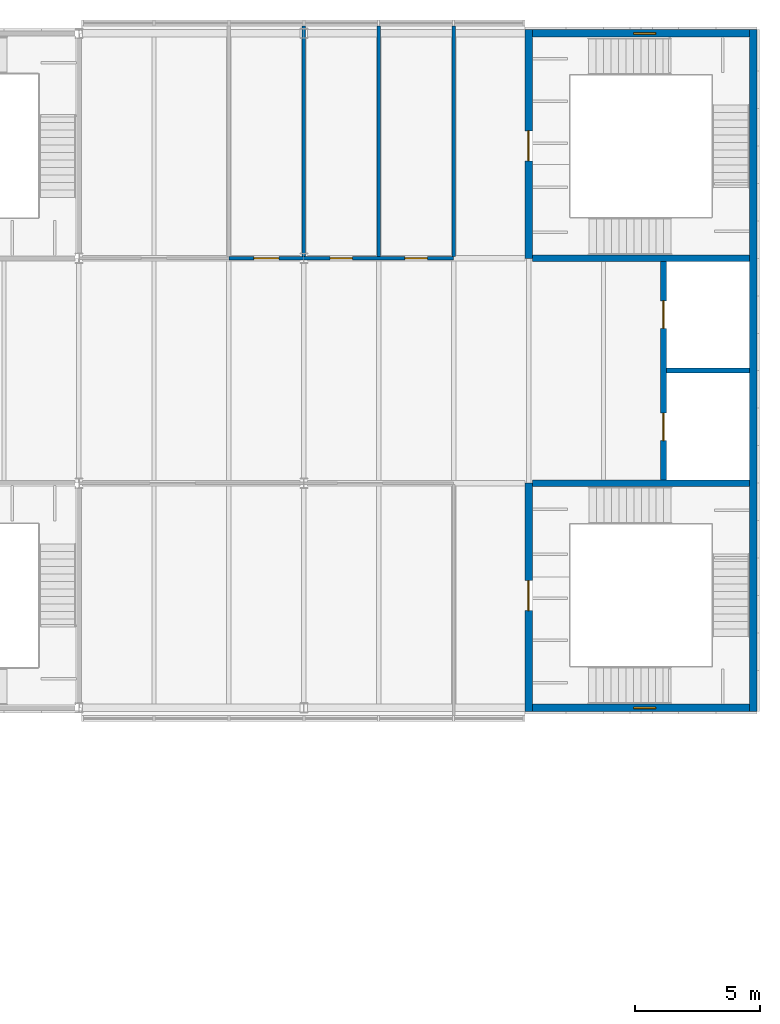
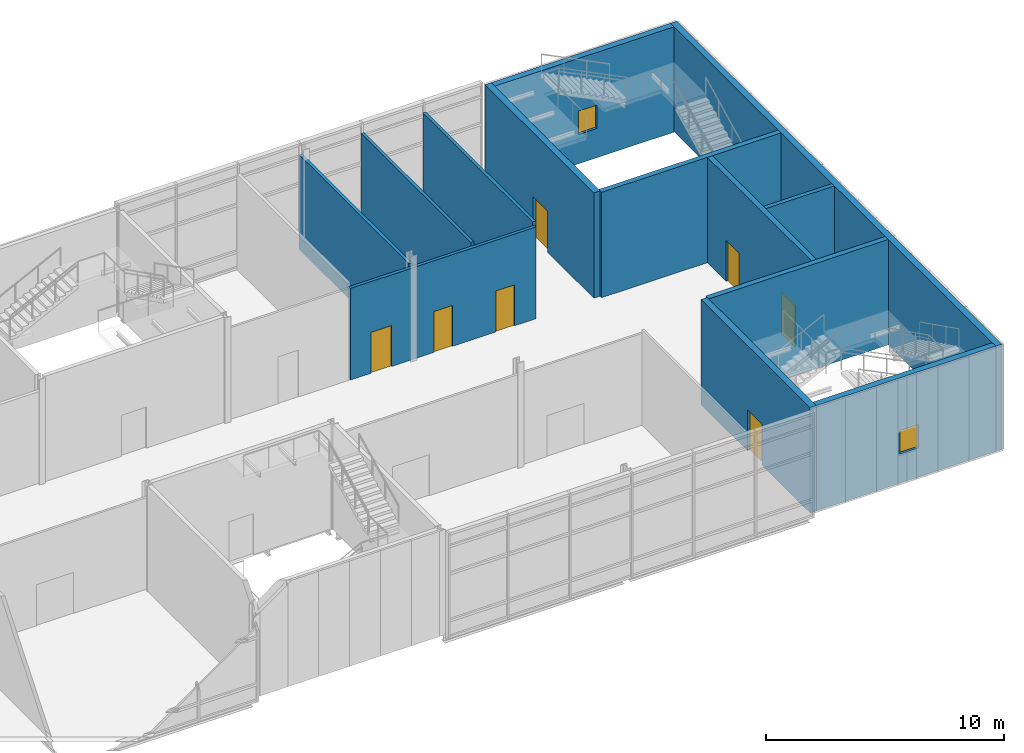
# One storey, part 43 of 56: 13 walls, 7 doors, 2 windows, 9 openings.
"""IFC4 building model written with IfcOpenShell, lengths in metres."""

from ifc_helpers import new_model, si_unit, direction, frame, frame_2d, origin, place, context, subcontext, project, spatial, rectangle, extrude, material, layer, layer_set, type_object, element, fill, save


model = new_model("IFC4")

# Units and contexts
model_context = context("Model", 3, precision=1e-05, world=origin(), true_north=direction((0.0, 1.0)))
body_context = subcontext(model_context, "Body", "Model", "MODEL_VIEW")
ifc_project = project(units=[si_unit("LENGTHUNIT", "METRE"), si_unit("AREAUNIT", "SQUARE_METRE"), si_unit("VOLUMEUNIT", "CUBIC_METRE"), si_unit("PLANEANGLEUNIT", "RADIAN"), si_unit("MASSUNIT", "GRAM", prefix="KILO")], contexts=[model_context])

# Site, building, storey
site_placement = place(None, origin())
site = spatial("IfcSite", under=ifc_project, at=site_placement, CompositionType="ELEMENT")
building_placement = place(site_placement, origin())
building = spatial("IfcBuilding", under=site, at=building_placement, Name="Azimuth Sports and Learning Centre", CompositionType="ELEMENT")
storey_placement = place(building_placement, frame((0.0, 0.0, 5.39990234375)))
storey = spatial("IfcBuildingStorey", under=building, at=storey_placement, Name="L01", CompositionType="ELEMENT", Elevation=5.39990234375)

# Wall
ifc_material_1 = material(Name="Dense masonry blockwork", Category="masonry")
ifc_layer_1 = layer(ifc_material_1, 0.199951171875)
ifc_layer_set_1 = layer_set([ifc_layer_1], Name="Dense masonry blockwork")
wall_type_1 = type_object("IfcWallType", Name="Blockwork wall 200 EI 120", PredefinedType="SOLIDWALL", material=ifc_layer_set_1)
wall_1_placement = place(storey_placement, frame((167.52490234375, 103.5, 0.0), z_axis=(0.0, 0.0, 1.0), x_axis=(1.0, 0.0, 0.0)))
element("IfcWall", 1, at=wall_1_placement, inside=storey, type_object=wall_type_1, Name="SD-EW-1-L01", PredefinedType="SOLIDWALL", context=body_context, shape_type="SweptSolid", body=[
    extrude(rectangle(XDim=3.3251953125, YDim=0.199951171875, at=frame_2d((1.66259765625, 0.0))), origin(), (0.0, 0.0, 1.0), 5.400146484375),
])

# Wall, openings, doors
ifc_material_2 = material(Name="Lightweight blockwork, rendered", Category="masonry")
ifc_layer_2 = layer(ifc_material_2, 0.14990234375)
ifc_layer_set_2 = layer_set([ifc_layer_2], Name="Lightweight blockwork, rendered")
wall_type_2 = type_object("IfcWallType", Name="Partition 150 EI 60", PredefinedType="PARTITIONING", material=ifc_layer_set_2)
wall_2_placement = place(storey_placement, frame((150.0, 108.0, 0.0), z_axis=(0.0, 0.0, 1.0), x_axis=(1.0, 0.0, 0.0)))
wall_2 = element("IfcWall", 2, at=wall_2_placement, inside=storey, type_object=wall_type_2, Name="Partition 150 EI 60", PredefinedType="PARTITIONING", context=body_context, shape_type="SweptSolid", body=[
    extrude(rectangle(XDim=9.0, YDim=0.14990234375, at=frame_2d((4.5, 0.0))), origin(), (0.0, 0.0, 1.0), 4.7001953125),
])
opening_1_placement = place(wall_2_placement, frame((7.050048828125, 0.0, 0.0)))
opening_1 = element("IfcOpeningElement", 3, at=opening_1_placement, cuts=wall_2, Name="Opening D01-049", PredefinedType="OPENING", context=body_context, shape_type="SweptSolid", body=[
    extrude(rectangle(XDim=0.89990234375, YDim=2.10009765625, at=frame_2d((0.449951171875, 1.050048828125))), frame((0.0, 0.0859375, 0.0), z_axis=(0.0, -1.0, 0.0), x_axis=(1.0, 0.0, 0.0)), (0.0, 0.0, 1.0), 0.171875),
])
opening_2_placement = place(wall_2_placement, frame((4.050048828125, 0.0, 0.0)))
opening_2 = element("IfcOpeningElement", 4, at=opening_2_placement, cuts=wall_2, Name="Opening D01-050", PredefinedType="OPENING", context=body_context, shape_type="SweptSolid", body=[
    extrude(rectangle(XDim=0.89990234375, YDim=2.10009765625, at=frame_2d((0.449951171875, 1.050048828125))), frame((0.0, 0.0859375, 0.0), z_axis=(0.0, -1.0, 0.0), x_axis=(1.0, 0.0, 0.0)), (0.0, 0.0, 1.0), 0.171875),
])
opening_3_placement = place(wall_2_placement, frame((1.0, 0.0, 0.0)))
opening_3 = element("IfcOpeningElement", 5, at=opening_3_placement, cuts=wall_2, Name="Opening D01-051", PredefinedType="OPENING", context=body_context, shape_type="SweptSolid", body=[
    extrude(rectangle(XDim=1.0, YDim=2.10009765625, at=frame_2d((0.5, 1.050048828125))), frame((0.0, 0.0859375, 0.0), z_axis=(0.0, -1.0, 0.0), x_axis=(1.0, 0.0, 0.0)), (0.0, 0.0, 1.0), 0.171875),
])
ifc_material_3 = material(Name="Timber fire door set", Category="wood")
door_type_1 = type_object("IfcDoorType", Name="Timber door single 1000x2100 FD60", OperationType="NOTDEFINED", PredefinedType="DOOR", material=ifc_material_3)
door_1_placement = place(opening_3_placement, origin())
door_1 = element("IfcDoor", 6, at=door_1_placement, inside=storey, type_object=door_type_1, Name="Door D01-051", OperationType="SINGLE_SWING_LEFT", OverallHeight=2.10009765625, OverallWidth=1.0, PredefinedType="DOOR", context=body_context, shape_type="SweptSolid", body=[
    extrude(rectangle(XDim=1.0, YDim=2.10009765625, at=frame_2d((0.5, 1.050048828125))), frame((0.0, 0.02490234375, 0.0), z_axis=(0.0, -1.0, 0.0), x_axis=(1.0, 0.0, 0.0)), (0.0, 0.0, 1.0), 0.050048828125),
])
fill(opening_3, door_1)
ifc_material_4 = material(Name="Timber fire door set", Category="wood")
door_type_2 = type_object("IfcDoorType", Name="Timber door single 900x2100 FD60", OperationType="NOTDEFINED", PredefinedType="DOOR", material=ifc_material_4)
door_2_placement = place(opening_1_placement, origin())
door_2 = element("IfcDoor", 7, at=door_2_placement, inside=storey, type_object=door_type_2, Name="Door D01-049", OperationType="SINGLE_SWING_LEFT", OverallHeight=2.10009765625, OverallWidth=0.89990234375, PredefinedType="DOOR", context=body_context, shape_type="SweptSolid", body=[
    extrude(rectangle(XDim=0.89990234375, YDim=2.10009765625, at=frame_2d((0.449951171875, 1.050048828125))), frame((0.0, 0.02490234375, 0.0), z_axis=(0.0, -1.0, 0.0), x_axis=(1.0, 0.0, 0.0)), (0.0, 0.0, 1.0), 0.050048828125),
])
fill(opening_1, door_2)
door_3_placement = place(opening_2_placement, origin())
door_3 = element("IfcDoor", 8, at=door_3_placement, inside=storey, type_object=door_type_2, Name="Door D01-050", OperationType="SINGLE_SWING_LEFT", OverallHeight=2.10009765625, OverallWidth=0.89990234375, PredefinedType="DOOR", context=body_context, shape_type="SweptSolid", body=[
    extrude(rectangle(XDim=0.89990234375, YDim=2.10009765625, at=frame_2d((0.449951171875, 1.050048828125))), frame((0.0, 0.02490234375, 0.0), z_axis=(0.0, -1.0, 0.0), x_axis=(1.0, 0.0, 0.0)), (0.0, 0.0, 1.0), 0.050048828125),
])
fill(opening_2, door_3)

# Walls
wall_3_placement = place(storey_placement, frame((153.0, 108.074951171875, 0.0), z_axis=(0.0, 0.0, 1.0), x_axis=(0.0, 1.0, 0.0)))
element("IfcWall", 9, at=wall_3_placement, inside=storey, type_object=wall_type_2, Name="Partition 150 EI 60", PredefinedType="PARTITIONING", context=body_context, shape_type="SweptSolid", body=[
    extrude(rectangle(XDim=9.22509765625, YDim=0.14990234375, at=frame_2d((4.612548828125, 0.0))), origin(), (0.0, 0.0, 1.0), 4.85009765625),
])
for number, where, z_axis, x_axis, name in (
    (10, (156.0, 108.074951171875, 0.0), (0.0, 0.0, 1.0), (0.0, 1.0, 0.0), "Partition 150 EI 60"),
    (11, (159.0, 108.074951171875, 0.0), (0.0, 0.0, 1.0), (0.0, 1.0, 0.0), "Partition 150 EI 60"),
):
    element("IfcWall", number, at=place(storey_placement, frame(where, z_axis=z_axis, x_axis=x_axis)), inside=storey, type_object=wall_type_2, Name=name, PredefinedType="PARTITIONING", context=body_context, shape_type="SweptSolid", body=[
        extrude(rectangle(XDim=9.22509765625, YDim=0.14990234375, at=frame_2d((4.612548828125, 0.0))), origin(), (0.0, 0.0, 1.0), 4.89013671875),
    ])
ifc_material_5 = material(Name="Concrete C40/50", Category="concrete")
ifc_layer_3 = layer(ifc_material_5, 0.25)
ifc_layer_set_3 = layer_set([ifc_layer_3], Name="Concrete C40/50")
wall_type_3 = type_object("IfcWallType", Name="RC core wall 250", PredefinedType="SHEAR", material=ifc_layer_set_3)
for number, where, z_axis, x_axis, name in (
    (12, (162.14990234375, 99.0, 0.0), (0.0, 0.0, 1.0), (1.0, 0.0, 0.0), "Core wall EW D1 L01"),
    (13, (162.14990234375, 108.0, 0.0), (0.0, 0.0, 1.0), (1.0, 0.0, 0.0), "Core wall EW D2 L01"),
):
    element("IfcWall", number, at=place(storey_placement, frame(where, z_axis=z_axis, x_axis=x_axis)), inside=storey, type_object=wall_type_3, Name=name, PredefinedType="SHEAR", context=body_context, shape_type="SweptSolid", body=[
        extrude(rectangle(XDim=8.7001953125, YDim=0.25, at=frame_2d((4.35009765625, 0.0))), origin(), (0.0, 0.0, 1.0), 5.400146484375),
    ])

# Wall, openings, doors
wall_4_placement = place(storey_placement, frame((167.39990234375, 99.125, 0.0), z_axis=(0.0, 0.0, 1.0), x_axis=(0.0, 1.0, 0.0)))
wall_4 = element("IfcWall", 14, at=wall_4_placement, inside=storey, type_object=wall_type_3, Name="Core wall EW LB1 L01", PredefinedType="SHEAR", context=body_context, shape_type="SweptSolid", body=[
    extrude(rectangle(XDim=8.75, YDim=0.25, at=frame_2d((4.375, 0.0))), origin(), (0.0, 0.0, 1.0), 5.400146484375),
])
opening_4_placement = place(wall_4_placement, frame((1.574951171875, 0.0, 0.0)))
opening_4 = element("IfcOpeningElement", 15, at=opening_4_placement, cuts=wall_4, Name="Opening D01-030", PredefinedType="OPENING", context=body_context, shape_type="SweptSolid", body=[
    extrude(rectangle(XDim=1.10009765625, YDim=2.10009765625, at=frame_2d((0.550048828125, 1.050048828125))), frame((0.0, 0.135986328125, 0.0), z_axis=(0.0, -1.0, 0.0), x_axis=(1.0, 0.0, 0.0)), (0.0, 0.0, 1.0), 0.27197265625),
])
opening_5_placement = place(wall_4_placement, frame((6.074951171875, 0.0, 0.0)))
opening_5 = element("IfcOpeningElement", 16, at=opening_5_placement, cuts=wall_4, Name="Opening D01-031", PredefinedType="OPENING", context=body_context, shape_type="SweptSolid", body=[
    extrude(rectangle(XDim=1.10009765625, YDim=2.10009765625, at=frame_2d((0.550048828125, 1.050048828125))), frame((0.0, 0.135986328125, 0.0), z_axis=(0.0, -1.0, 0.0), x_axis=(1.0, 0.0, 0.0)), (0.0, 0.0, 1.0), 0.27197265625),
])
ifc_material_6 = material(Name="Stainless steel", Category="steel")
door_type_3 = type_object("IfcDoorType", Name="Lift landing door 1100 x 2100", OperationType="DOUBLE_DOOR_SLIDING", PredefinedType="DOOR", material=ifc_material_6)
door_4_placement = place(opening_4_placement, origin())
door_4 = element("IfcDoor", 17, at=door_4_placement, inside=storey, type_object=door_type_3, Name="Landing door LEW1 L01", OperationType="DOUBLE_DOOR_SLIDING", OverallHeight=2.10009765625, OverallWidth=1.10009765625, PredefinedType="DOOR", context=body_context, shape_type="SweptSolid", body=[
    extrude(rectangle(XDim=1.10009765625, YDim=2.10009765625, at=frame_2d((0.550048828125, 1.050048828125))), frame((0.0, 0.02490234375, 0.0), z_axis=(0.0, -1.0, 0.0), x_axis=(1.0, 0.0, 0.0)), (0.0, 0.0, 1.0), 0.050048828125),
])
fill(opening_4, door_4)
door_5_placement = place(opening_5_placement, origin())
door_5 = element("IfcDoor", 18, at=door_5_placement, inside=storey, type_object=door_type_3, Name="Landing door LEW2 L01", OperationType="DOUBLE_DOOR_SLIDING", OverallHeight=2.10009765625, OverallWidth=1.10009765625, PredefinedType="DOOR", context=body_context, shape_type="SweptSolid", body=[
    extrude(rectangle(XDim=1.10009765625, YDim=2.10009765625, at=frame_2d((0.550048828125, 1.050048828125))), frame((0.0, 0.02490234375, 0.0), z_axis=(0.0, -1.0, 0.0), x_axis=(1.0, 0.0, 0.0)), (0.0, 0.0, 1.0), 0.050048828125),
])
fill(opening_5, door_5)

# Wall, opening, door
ifc_material_7 = material(Name="Concrete C40/50", Category="concrete")
ifc_layer_4 = layer(ifc_material_7, 0.300048828125)
ifc_layer_set_4 = layer_set([ifc_layer_4], Name="Concrete C40/50")
wall_type_4 = type_object("IfcWallType", Name="RC core wall 300", PredefinedType="SHEAR", material=ifc_layer_set_4)
wall_5_placement = place(storey_placement, frame((162.0, 89.85009765625, 0.0), z_axis=(0.0, 0.0, 1.0), x_axis=(0.0, 1.0, 0.0)))
wall_5 = element("IfcWall", 19, at=wall_5_placement, inside=storey, type_object=wall_type_4, Name="Core wall EW WS L01", PredefinedType="SHEAR", context=body_context, shape_type="SweptSolid", body=[
    extrude(rectangle(XDim=9.14990234375, YDim=0.300048828125, at=frame_2d((4.574951171875, 0.0))), origin(), (0.0, 0.0, 1.0), 5.400146484375),
])
opening_6_placement = place(wall_5_placement, frame((4.050048828125, 0.0, 0.0)))
opening_6 = element("IfcOpeningElement", 20, at=opening_6_placement, cuts=wall_5, Name="Opening D01-008", PredefinedType="OPENING", context=body_context, shape_type="SweptSolid", body=[
    extrude(rectangle(XDim=1.199951171875, YDim=2.10009765625, at=frame_2d((0.60009765625, 1.050048828125))), frame((0.0, 0.1611328125, 0.0), z_axis=(0.0, -1.0, 0.0), x_axis=(1.0, 0.0, 0.0)), (0.0, 0.0, 1.0), 0.322021484375),
])
ifc_material_8 = material(Name="Steel", Category="steel")
door_type_4 = type_object("IfcDoorType", Name="Stair fire door 1200 x 2100", OperationType="NOTDEFINED", PredefinedType="DOOR", material=ifc_material_8)
door_6_placement = place(opening_6_placement, origin())
door_6 = element("IfcDoor", 21, at=door_6_placement, inside=storey, type_object=door_type_4, Name="Stair door EW1 L01", OperationType="SINGLE_SWING_RIGHT", OverallHeight=2.10009765625, OverallWidth=1.199951171875, PredefinedType="DOOR", context=body_context, shape_type="SweptSolid", body=[
    extrude(rectangle(XDim=1.199951171875, YDim=2.10009765625, at=frame_2d((0.60009765625, 1.050048828125))), frame((0.0, 0.02490234375, 0.0), z_axis=(0.0, -1.0, 0.0), x_axis=(1.0, 0.0, 0.0)), (0.0, 0.0, 1.0), 0.050048828125),
])
fill(opening_6, door_6)

wall_6_placement = place(storey_placement, frame((162.0, 108.0, 0.0), z_axis=(0.0, 0.0, 1.0), x_axis=(0.0, 1.0, 0.0)))
wall_6 = element("IfcWall", 22, at=wall_6_placement, inside=storey, type_object=wall_type_4, Name="Core wall EW WN L01", PredefinedType="SHEAR", context=body_context, shape_type="SweptSolid", body=[
    extrude(rectangle(XDim=9.14990234375, YDim=0.300048828125, at=frame_2d((4.574951171875, 0.0))), origin(), (0.0, 0.0, 1.0), 5.400146484375),
])
opening_7_placement = place(wall_6_placement, frame((3.89990234375, 0.0, 0.0)))
opening_7 = element("IfcOpeningElement", 23, at=opening_7_placement, cuts=wall_6, Name="Opening D01-009", PredefinedType="OPENING", context=body_context, shape_type="SweptSolid", body=[
    extrude(rectangle(XDim=1.199951171875, YDim=2.10009765625, at=frame_2d((0.60009765625, 1.050048828125))), frame((0.0, 0.1611328125, 0.0), z_axis=(0.0, -1.0, 0.0), x_axis=(1.0, 0.0, 0.0)), (0.0, 0.0, 1.0), 0.322021484375),
])
door_7_placement = place(opening_7_placement, origin())
door_7 = element("IfcDoor", 24, at=door_7_placement, inside=storey, type_object=door_type_4, Name="Stair door EW2 L01", OperationType="SINGLE_SWING_LEFT", OverallHeight=2.10009765625, OverallWidth=1.199951171875, PredefinedType="DOOR", context=body_context, shape_type="SweptSolid", body=[
    extrude(rectangle(XDim=1.199951171875, YDim=2.10009765625, at=frame_2d((0.60009765625, 1.050048828125))), frame((0.0, 0.02490234375, 0.0), z_axis=(0.0, -1.0, 0.0), x_axis=(1.0, 0.0, 0.0)), (0.0, 0.0, 1.0), 0.050048828125),
])
fill(opening_7, door_7)

# Wall, opening, window
ifc_material_9 = material(Name="Concrete C40/50", Category="concrete")
ifc_layer_5 = layer(ifc_material_9, 0.300048828125)
ifc_layer_set_5 = layer_set([ifc_layer_5], Name="Concrete C40/50")
wall_type_5 = type_object("IfcWallType", Name="RC external core wall 300", PredefinedType="SHEAR", material=ifc_layer_set_5)
wall_7_placement = place(storey_placement, frame((162.14990234375, 90.0, 0.0), z_axis=(0.0, 0.0, 1.0), x_axis=(1.0, 0.0, 0.0)))
wall_7 = element("IfcWall", 25, at=wall_7_placement, inside=storey, type_object=wall_type_5, Name="Core wall EW S L01", PredefinedType="SHEAR", context=body_context, shape_type="SweptSolid", body=[
    extrude(rectangle(XDim=8.7001953125, YDim=0.300048828125, at=frame_2d((4.35009765625, 0.0))), origin(), (0.0, 0.0, 1.0), 5.400146484375),
])
opening_8_placement = place(wall_7_placement, frame((4.050048828125, 0.0, 1.5)))
opening_8 = element("IfcOpeningElement", 26, at=opening_8_placement, cuts=wall_7, Name="Opening W01-010", PredefinedType="OPENING", context=body_context, shape_type="SweptSolid", body=[
    extrude(rectangle(XDim=0.89990234375, YDim=1.199951171875, at=frame_2d((0.449951171875, 0.60009765625))), frame((0.0, 0.1611328125, 0.0), z_axis=(0.0, -1.0, 0.0), x_axis=(1.0, 0.0, 0.0)), (0.0, 0.0, 1.0), 0.322021484375),
])
ifc_material_10 = material(Name="Aluminium and glass", Category="aluminium")
window_type = type_object("IfcWindowType", Name="Stair window end core 900x1200", PartitioningType="SINGLE_PANEL", PredefinedType="WINDOW", material=ifc_material_10)
window_1_placement = place(opening_8_placement, origin())
window_1 = element("IfcWindow", 27, at=window_1_placement, inside=storey, type_object=window_type, Name="Window W01-010", OverallHeight=1.199951171875, OverallWidth=0.89990234375, PartitioningType="SINGLE_PANEL", PredefinedType="WINDOW", context=body_context, shape_type="SweptSolid", body=[
    extrude(rectangle(XDim=0.89990234375, YDim=1.199951171875, at=frame_2d((0.449951171875, 0.60009765625))), frame((0.0, 0.030029296875, 0.0), z_axis=(0.0, -1.0, 0.0), x_axis=(1.0, 0.0, 0.0)), (0.0, 0.0, 1.0), 0.06005859375),
])
fill(opening_8, window_1)

wall_8_placement = place(storey_placement, frame((162.14990234375, 117.0, 0.0), z_axis=(0.0, 0.0, 1.0), x_axis=(1.0, 0.0, 0.0)))
wall_8 = element("IfcWall", 28, at=wall_8_placement, inside=storey, type_object=wall_type_5, Name="Core wall EW N L01", PredefinedType="SHEAR", context=body_context, shape_type="SweptSolid", body=[
    extrude(rectangle(XDim=8.7001953125, YDim=0.300048828125, at=frame_2d((4.35009765625, 0.0))), origin(), (0.0, 0.0, 1.0), 5.400146484375),
])
opening_9_placement = place(wall_8_placement, frame((4.050048828125, 0.0, 1.5)))
opening_9 = element("IfcOpeningElement", 29, at=opening_9_placement, cuts=wall_8, Name="Opening W01-011", PredefinedType="OPENING", context=body_context, shape_type="SweptSolid", body=[
    extrude(rectangle(XDim=0.89990234375, YDim=1.199951171875, at=frame_2d((0.449951171875, 0.60009765625))), frame((0.0, 0.1611328125, 0.0), z_axis=(0.0, -1.0, 0.0), x_axis=(1.0, 0.0, 0.0)), (0.0, 0.0, 1.0), 0.322021484375),
])
window_2_placement = place(opening_9_placement, origin())
window_2 = element("IfcWindow", 30, at=window_2_placement, inside=storey, type_object=window_type, Name="Window W01-011", OverallHeight=1.199951171875, OverallWidth=0.89990234375, PartitioningType="SINGLE_PANEL", PredefinedType="WINDOW", context=body_context, shape_type="SweptSolid", body=[
    extrude(rectangle(XDim=0.89990234375, YDim=1.199951171875, at=frame_2d((0.449951171875, 0.60009765625))), frame((0.0, 0.030029296875, 0.0), z_axis=(0.0, -1.0, 0.0), x_axis=(1.0, 0.0, 0.0)), (0.0, 0.0, 1.0), 0.06005859375),
])
fill(opening_9, window_2)

# Wall
wall_9_placement = place(storey_placement, frame((171.0, 89.85009765625, 0.0), z_axis=(0.0, 0.0, 1.0), x_axis=(0.0, 1.0, 0.0)))
element("IfcWall", 31, at=wall_9_placement, inside=storey, type_object=wall_type_5, Name="Core wall EW E L01", PredefinedType="SHEAR", context=body_context, shape_type="SweptSolid", body=[
    extrude(rectangle(XDim=27.2998046875, YDim=0.300048828125, at=frame_2d((13.64990234375, 0.0))), origin(), (0.0, 0.0, 1.0), 5.400146484375),
])

save(model, "model.ifc")
